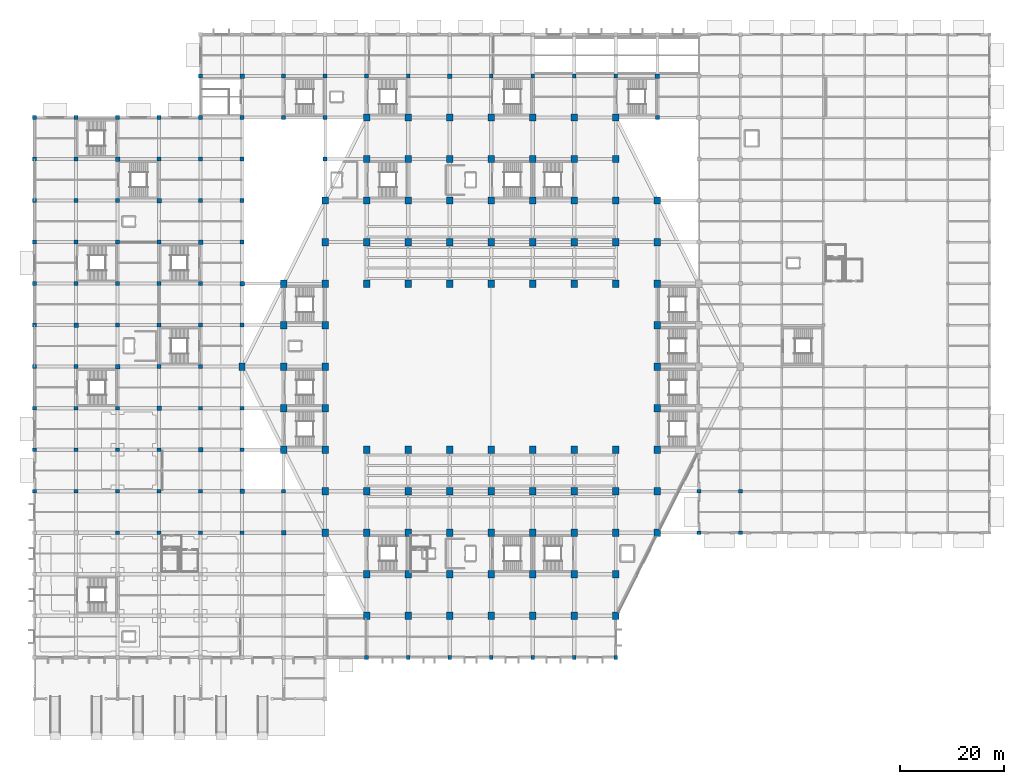
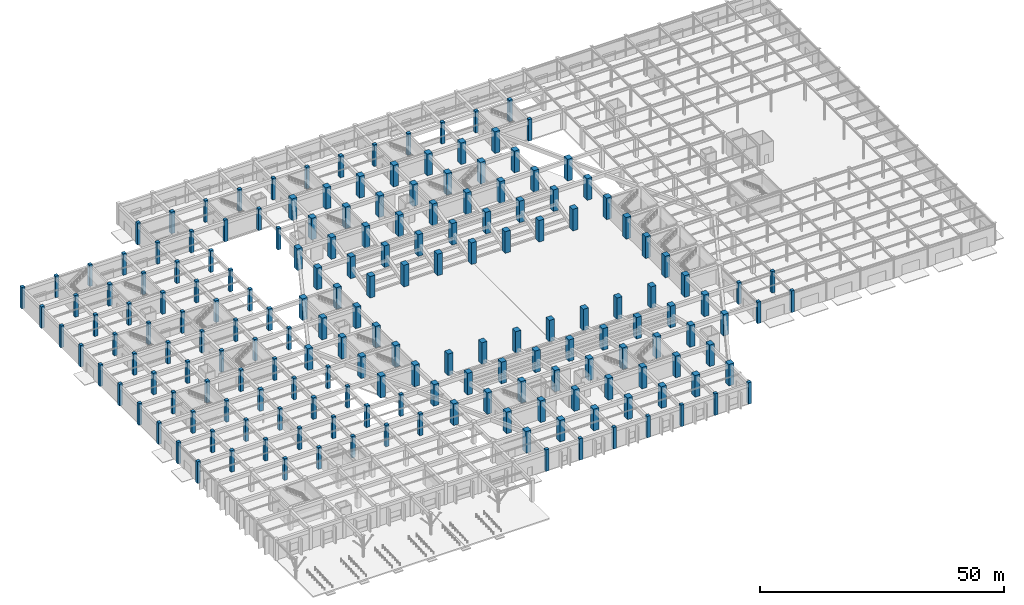
# One storey, part 2 of 39: 186 columns.
"""IFC4 building model written with IfcOpenShell, lengths in metres."""

from ifc_helpers import new_model, si_unit, direction, frame, origin, origin_2d, place, context, subcontext, project, spatial, rectangle, extrude, material, material_profile, profile_set, type_object, element, save


model = new_model("IFC4")

# Units and contexts
model_context = context("Model", 3, precision=1e-05, world=origin(), true_north=direction((0.0, 1.0)))
body_context = subcontext(model_context, "Body", "Model", "MODEL_VIEW")
ifc_project = project(units=[si_unit("LENGTHUNIT", "METRE"), si_unit("AREAUNIT", "SQUARE_METRE"), si_unit("VOLUMEUNIT", "CUBIC_METRE"), si_unit("PLANEANGLEUNIT", "RADIAN"), si_unit("MASSUNIT", "GRAM", prefix="KILO")], contexts=[model_context])

# Site, building, storey
site_placement = place(None, origin())
site = spatial("IfcSite", under=ifc_project, at=site_placement, CompositionType="ELEMENT")
building_placement = place(site_placement, origin())
building = spatial("IfcBuilding", under=site, at=building_placement, Name="Tazarka Park Arena", CompositionType="ELEMENT")
storey_placement = place(building_placement, origin())
storey = spatial("IfcBuildingStorey", under=building, at=storey_placement, Name="L00", CompositionType="ELEMENT", Elevation=0.0)

# Columns
ifc_material_1 = material(Name="Concrete C40/50", Category="concrete")
ifc_material_profile_1 = material_profile(ifc_material_1, rectangle(XDim=0.75, YDim=0.75, at=origin_2d()), Name="Concrete C40/50")
ifc_profile_set_1 = profile_set([ifc_material_profile_1], Name="Concrete C40/50")
column_type_1 = type_object("IfcColumnType", Name="COL-C-02", PredefinedType="COLUMN", material=ifc_profile_set_1)
for number, where, z_axis, x_axis, name in (
    (1, (8.0, 40.0, 0.0), (0.0, 0.0, 1.0), (1.0, 0.0, 0.0), "CLM-L00-01-05"),
    (2, (8.0, 48.0, 0.0), (0.0, 0.0, 1.0), (1.0, 0.0, 0.0), "CLM-L00-01-06"),
    (3, (8.0, 56.0, 0.0), (0.0, 0.0, 1.0), (1.0, 0.0, 0.0), "CLM-L00-01-07"),
    (4, (8.0, 64.0, 0.0), (0.0, 0.0, 1.0), (1.0, 0.0, 0.0), "CLM-L00-01-08"),
    (5, (8.0, 80.0, 0.0), (0.0, 0.0, 1.0), (1.0, 0.0, 0.0), "CLM-L00-01-10"),
    (6, (8.0, 88.0, 0.0), (0.0, 0.0, 1.0), (1.0, 0.0, 0.0), "CLM-L00-01-11"),
    (7, (8.0, 96.0, 0.0), (0.0, 0.0, 1.0), (1.0, 0.0, 0.0), "CLM-L00-01-12"),
    (8, (8.0, 104.0, 0.0), (0.0, 0.0, 1.0), (1.0, 0.0, 0.0), "CLM-L00-01-13"),
    (9, (16.0, 32.0, 0.0), (0.0, 0.0, 1.0), (1.0, 0.0, 0.0), "CLM-L00-02-04"),
    (10, (16.0, 40.0, 0.0), (0.0, 0.0, 1.0), (1.0, 0.0, 0.0), "CLM-L00-02-05"),
    (11, (16.0, 48.0, 0.0), (0.0, 0.0, 1.0), (1.0, 0.0, 0.0), "CLM-L00-02-06"),
    (12, (16.0, 56.0, 0.0), (0.0, 0.0, 1.0), (1.0, 0.0, 0.0), "CLM-L00-02-07"),
    (13, (16.0, 72.0, 0.0), (0.0, 0.0, 1.0), (1.0, 0.0, 0.0), "CLM-L00-02-09"),
    (14, (16.0, 80.0, 0.0), (0.0, 0.0, 1.0), (1.0, 0.0, 0.0), "CLM-L00-02-10"),
    (15, (16.0, 88.0, 0.0), (0.0, 0.0, 1.0), (1.0, 0.0, 0.0), "CLM-L00-02-11"),
    (16, (16.0, 96.0, 0.0), (0.0, 0.0, 1.0), (1.0, 0.0, 0.0), "CLM-L00-02-12"),
    (17, (24.0, 32.0, 0.0), (0.0, 0.0, 1.0), (1.0, 0.0, 0.0), "CLM-L00-03-04"),
    (18, (24.0, 40.0, 0.0), (0.0, 0.0, 1.0), (1.0, 0.0, 0.0), "CLM-L00-03-05"),
    (19, (24.0, 48.0, 0.0), (0.0, 0.0, 1.0), (1.0, 0.0, 0.0), "CLM-L00-03-06"),
    (20, (24.0, 64.0, 0.0), (0.0, 0.0, 1.0), (1.0, 0.0, 0.0), "CLM-L00-03-08"),
    (21, (24.0, 72.0, 0.0), (0.0, 0.0, 1.0), (1.0, 0.0, 0.0), "CLM-L00-03-09"),
    (22, (24.0, 80.0, 0.0), (0.0, 0.0, 1.0), (1.0, 0.0, 0.0), "CLM-L00-03-10"),
    (23, (24.0, 88.0, 0.0), (0.0, 0.0, 1.0), (1.0, 0.0, 0.0), "CLM-L00-03-11"),
    (24, (24.0, 104.0, 0.0), (0.0, 0.0, 1.0), (1.0, 0.0, 0.0), "CLM-L00-03-13"),
    (25, (32.0, 32.0, 0.0), (0.0, 0.0, 1.0), (1.0, 0.0, 0.0), "CLM-L00-04-04"),
    (26, (32.0, 40.0, 0.0), (0.0, 0.0, 1.0), (1.0, 0.0, 0.0), "CLM-L00-04-05"),
    (27, (32.0, 56.0, 0.0), (0.0, 0.0, 1.0), (1.0, 0.0, 0.0), "CLM-L00-04-07"),
    (28, (32.0, 64.0, 0.0), (0.0, 0.0, 1.0), (1.0, 0.0, 0.0), "CLM-L00-04-08"),
    (29, (32.0, 72.0, 0.0), (0.0, 0.0, 1.0), (1.0, 0.0, 0.0), "CLM-L00-04-09"),
    (30, (32.0, 80.0, 0.0), (0.0, 0.0, 1.0), (1.0, 0.0, 0.0), "CLM-L00-04-10"),
    (31, (32.0, 96.0, 0.0), (0.0, 0.0, 1.0), (1.0, 0.0, 0.0), "CLM-L00-04-12"),
    (32, (32.0, 104.0, 0.0), (0.0, 0.0, 1.0), (1.0, 0.0, 0.0), "CLM-L00-04-13"),
    (33, (32.0, 112.0, 0.0), (0.0, 0.0, 1.0), (1.0, 0.0, 0.0), "CLM-L00-04-14"),
    (34, (40.0, 32.0, 0.0), (0.0, 0.0, 1.0), (1.0, 0.0, 0.0), "CLM-L00-05-04"),
    (35, (40.0, 48.0, 0.0), (0.0, 0.0, 1.0), (1.0, 0.0, 0.0), "CLM-L00-05-06"),
    (36, (40.0, 56.0, 0.0), (0.0, 0.0, 1.0), (1.0, 0.0, 0.0), "CLM-L00-05-07"),
    (37, (40.0, 72.0, 0.0), (0.0, 0.0, 1.0), (1.0, 0.0, 0.0), "CLM-L00-05-09"),
    (38, (40.0, 112.0, 0.0), (0.0, 0.0, 1.0), (1.0, 0.0, 0.0), "CLM-L00-05-14"),
    (39, (48.0, 40.0, 0.0), (0.0, 0.0, 1.0), (1.0, 0.0, 0.0), "CLM-L00-06-05"),
    (40, (48.0, 120.0, 0.0), (0.0, 0.0, 1.0), (1.0, 0.0, 0.0), "CLM-L00-06-15"),
    (41, (56.0, 112.0, 0.0), (0.0, 0.0, 1.0), (1.0, 0.0, 0.0), "CLM-L00-07-14"),
    (42, (56.0, 120.0, 0.0), (0.0, 0.0, 1.0), (1.0, 0.0, 0.0), "CLM-L00-07-15"),
    (43, (64.0, 120.0, 0.0), (0.0, 0.0, 1.0), (1.0, 0.0, 0.0), "CLM-L00-08-15"),
    (44, (72.0, 120.0, 0.0), (0.0, 0.0, 1.0), (1.0, 0.0, 0.0), "CLM-L00-09-15"),
    (45, (88.0, 120.0, 0.0), (0.0, 0.0, 1.0), (1.0, 0.0, 0.0), "CLM-L00-11-15"),
    (46, (96.0, 120.0, 0.0), (0.0, 0.0, 1.0), (1.0, 0.0, 0.0), "CLM-L00-12-15"),
    (47, (104.0, 120.0, 0.0), (0.0, 0.0, 1.0), (1.0, 0.0, 0.0), "CLM-L00-13-15"),
    (48, (112.0, 120.0, 0.0), (0.0, 0.0, 1.0), (1.0, 0.0, 0.0), "CLM-L00-14-15"),
    (49, (128.0, 40.0, 0.0), (0.0, 0.0, 1.0), (1.0, 0.0, 0.0), "CLM-L00-16-05"),
    (50, (136.0, 40.0, 0.0), (0.0, 0.0, 1.0), (1.0, 0.0, 0.0), "CLM-L00-17-05"),
):
    element("IfcColumn", number, at=place(storey_placement, frame(where, z_axis=z_axis, x_axis=x_axis)), inside=storey, type_object=column_type_1, Name=name, PredefinedType="COLUMN", context=body_context, shape_type="SweptSolid", body=[
        extrude(rectangle(XDim=0.75, YDim=0.75, at=origin_2d()), origin(), (0.0, 0.0, 1.0), 5.39990234375),
    ])
ifc_material_2 = material(Name="Concrete C50/60", Category="concrete")
ifc_material_profile_2 = material_profile(ifc_material_2, rectangle(XDim=1.199951171875, YDim=1.39990234375, at=origin_2d()), Name="Concrete C50/60")
ifc_profile_set_2 = profile_set([ifc_material_profile_2], Name="Concrete C50/60")
column_type_2 = type_object("IfcColumnType", Name="COL-C-05", PredefinedType="COLUMN", material=ifc_profile_set_2)
for number, where, z_axis, x_axis, name in (
    (51, (40.0, 64.0, 0.0), (0.0, 0.0, 1.0), (1.0, 0.0, 0.0), "CLM-L00-05-08"),
    (52, (48.0, 48.0, 0.0), (0.0, 0.0, 1.0), (1.0, 0.0, 0.0), "CLM-L00-06-06"),
    (53, (48.0, 56.0, 0.0), (0.0, 0.0, 1.0), (1.0, 0.0, 0.0), "CLM-L00-06-07"),
    (54, (48.0, 64.0, 0.0), (0.0, 0.0, 1.0), (1.0, 0.0, 0.0), "CLM-L00-06-08"),
    (55, (48.0, 72.0, 0.0), (0.0, 0.0, 1.0), (1.0, 0.0, 0.0), "CLM-L00-06-09"),
    (56, (56.0, 32.0, 0.0), (0.0, 0.0, 1.0), (1.0, 0.0, 0.0), "CLM-L00-07-04"),
    (57, (56.0, 40.0, 0.0), (0.0, 0.0, 1.0), (1.0, 0.0, 0.0), "CLM-L00-07-05"),
    (58, (56.0, 48.0, 0.0), (0.0, 0.0, 1.0), (1.0, 0.0, 0.0), "CLM-L00-07-06"),
    (59, (56.0, 80.0, 0.0), (0.0, 0.0, 1.0), (1.0, 0.0, 0.0), "CLM-L00-07-10"),
    (60, (64.0, 16.0, 0.0), (0.0, 0.0, 1.0), (1.0, 0.0, 0.0), "CLM-L00-08-02"),
    (61, (64.0, 24.0, 0.0), (0.0, 0.0, 1.0), (1.0, 0.0, 0.0), "CLM-L00-08-03"),
    (62, (64.0, 32.0, 0.0), (0.0, 0.0, 1.0), (1.0, 0.0, 0.0), "CLM-L00-08-04"),
    (63, (64.0, 40.0, 0.0), (0.0, 0.0, 1.0), (1.0, 0.0, 0.0), "CLM-L00-08-05"),
    (64, (64.0, 88.0, 0.0), (0.0, 0.0, 1.0), (1.0, 0.0, 0.0), "CLM-L00-08-11"),
    (65, (64.0, 96.0, 0.0), (0.0, 0.0, 1.0), (1.0, 0.0, 0.0), "CLM-L00-08-12"),
    (66, (64.0, 104.0, 0.0), (0.0, 0.0, 1.0), (1.0, 0.0, 0.0), "CLM-L00-08-13"),
    (67, (64.0, 112.0, 0.0), (0.0, 0.0, 1.0), (1.0, 0.0, 0.0), "CLM-L00-08-14"),
    (68, (72.0, 16.0, 0.0), (0.0, 0.0, 1.0), (1.0, 0.0, 0.0), "CLM-L00-09-02"),
    (69, (72.0, 24.0, 0.0), (0.0, 0.0, 1.0), (1.0, 0.0, 0.0), "CLM-L00-09-03"),
    (70, (72.0, 32.0, 0.0), (0.0, 0.0, 1.0), (1.0, 0.0, 0.0), "CLM-L00-09-04"),
    (71, (72.0, 40.0, 0.0), (0.0, 0.0, 1.0), (1.0, 0.0, 0.0), "CLM-L00-09-05"),
    (72, (72.0, 88.0, 0.0), (0.0, 0.0, 1.0), (1.0, 0.0, 0.0), "CLM-L00-09-11"),
    (73, (72.0, 96.0, 0.0), (0.0, 0.0, 1.0), (1.0, 0.0, 0.0), "CLM-L00-09-12"),
    (74, (72.0, 104.0, 0.0), (0.0, 0.0, 1.0), (1.0, 0.0, 0.0), "CLM-L00-09-13"),
    (75, (72.0, 112.0, 0.0), (0.0, 0.0, 1.0), (1.0, 0.0, 0.0), "CLM-L00-09-14"),
    (76, (80.0, 16.0, 0.0), (0.0, 0.0, 1.0), (1.0, 0.0, 0.0), "CLM-L00-10-02"),
    (77, (80.0, 24.0, 0.0), (0.0, 0.0, 1.0), (1.0, 0.0, 0.0), "CLM-L00-10-03"),
    (78, (80.0, 32.0, 0.0), (0.0, 0.0, 1.0), (1.0, 0.0, 0.0), "CLM-L00-10-04"),
    (79, (80.0, 40.0, 0.0), (0.0, 0.0, 1.0), (1.0, 0.0, 0.0), "CLM-L00-10-05"),
    (80, (80.0, 88.0, 0.0), (0.0, 0.0, 1.0), (1.0, 0.0, 0.0), "CLM-L00-10-11"),
    (81, (80.0, 96.0, 0.0), (0.0, 0.0, 1.0), (1.0, 0.0, 0.0), "CLM-L00-10-12"),
    (82, (80.0, 104.0, 0.0), (0.0, 0.0, 1.0), (1.0, 0.0, 0.0), "CLM-L00-10-13"),
    (83, (80.0, 112.0, 0.0), (0.0, 0.0, 1.0), (1.0, 0.0, 0.0), "CLM-L00-10-14"),
    (84, (88.0, 16.0, 0.0), (0.0, 0.0, 1.0), (1.0, 0.0, 0.0), "CLM-L00-11-02"),
    (85, (88.0, 24.0, 0.0), (0.0, 0.0, 1.0), (1.0, 0.0, 0.0), "CLM-L00-11-03"),
    (86, (88.0, 32.0, 0.0), (0.0, 0.0, 1.0), (1.0, 0.0, 0.0), "CLM-L00-11-04"),
    (87, (88.0, 40.0, 0.0), (0.0, 0.0, 1.0), (1.0, 0.0, 0.0), "CLM-L00-11-05"),
    (88, (88.0, 88.0, 0.0), (0.0, 0.0, 1.0), (1.0, 0.0, 0.0), "CLM-L00-11-11"),
    (89, (88.0, 96.0, 0.0), (0.0, 0.0, 1.0), (1.0, 0.0, 0.0), "CLM-L00-11-12"),
    (90, (88.0, 104.0, 0.0), (0.0, 0.0, 1.0), (1.0, 0.0, 0.0), "CLM-L00-11-13"),
    (91, (88.0, 112.0, 0.0), (0.0, 0.0, 1.0), (1.0, 0.0, 0.0), "CLM-L00-11-14"),
    (92, (96.0, 16.0, 0.0), (0.0, 0.0, 1.0), (1.0, 0.0, 0.0), "CLM-L00-12-02"),
    (93, (96.0, 24.0, 0.0), (0.0, 0.0, 1.0), (1.0, 0.0, 0.0), "CLM-L00-12-03"),
    (94, (96.0, 32.0, 0.0), (0.0, 0.0, 1.0), (1.0, 0.0, 0.0), "CLM-L00-12-04"),
    (95, (96.0, 40.0, 0.0), (0.0, 0.0, 1.0), (1.0, 0.0, 0.0), "CLM-L00-12-05"),
    (96, (96.0, 88.0, 0.0), (0.0, 0.0, 1.0), (1.0, 0.0, 0.0), "CLM-L00-12-11"),
    (97, (96.0, 96.0, 0.0), (0.0, 0.0, 1.0), (1.0, 0.0, 0.0), "CLM-L00-12-12"),
    (98, (96.0, 104.0, 0.0), (0.0, 0.0, 1.0), (1.0, 0.0, 0.0), "CLM-L00-12-13"),
    (99, (96.0, 112.0, 0.0), (0.0, 0.0, 1.0), (1.0, 0.0, 0.0), "CLM-L00-12-14"),
    (100, (104.0, 16.0, 0.0), (0.0, 0.0, 1.0), (1.0, 0.0, 0.0), "CLM-L00-13-02"),
    (101, (104.0, 24.0, 0.0), (0.0, 0.0, 1.0), (1.0, 0.0, 0.0), "CLM-L00-13-03"),
    (102, (104.0, 32.0, 0.0), (0.0, 0.0, 1.0), (1.0, 0.0, 0.0), "CLM-L00-13-04"),
    (103, (104.0, 40.0, 0.0), (0.0, 0.0, 1.0), (1.0, 0.0, 0.0), "CLM-L00-13-05"),
    (104, (104.0, 88.0, 0.0), (0.0, 0.0, 1.0), (1.0, 0.0, 0.0), "CLM-L00-13-11"),
    (105, (104.0, 96.0, 0.0), (0.0, 0.0, 1.0), (1.0, 0.0, 0.0), "CLM-L00-13-12"),
    (106, (104.0, 104.0, 0.0), (0.0, 0.0, 1.0), (1.0, 0.0, 0.0), "CLM-L00-13-13"),
    (107, (104.0, 112.0, 0.0), (0.0, 0.0, 1.0), (1.0, 0.0, 0.0), "CLM-L00-13-14"),
    (108, (112.0, 32.0, 0.0), (0.0, 0.0, 1.0), (1.0, 0.0, 0.0), "CLM-L00-14-04"),
    (109, (112.0, 40.0, 0.0), (0.0, 0.0, 1.0), (1.0, 0.0, 0.0), "CLM-L00-14-05"),
    (110, (112.0, 88.0, 0.0), (0.0, 0.0, 1.0), (1.0, 0.0, 0.0), "CLM-L00-14-11"),
    (111, (112.0, 96.0, 0.0), (0.0, 0.0, 1.0), (1.0, 0.0, 0.0), "CLM-L00-14-12"),
    (112, (112.0, 112.0, 0.0), (0.0, 0.0, 1.0), (1.0, 0.0, 0.0), "CLM-L00-14-14"),
    (113, (120.0, 40.0, 0.0), (0.0, 0.0, 1.0), (1.0, 0.0, 0.0), "CLM-L00-15-05"),
    (114, (120.0, 48.0, 0.0), (0.0, 0.0, 1.0), (1.0, 0.0, 0.0), "CLM-L00-15-06"),
    (115, (120.0, 80.0, 0.0), (0.0, 0.0, 1.0), (1.0, 0.0, 0.0), "CLM-L00-15-10"),
    (116, (120.0, 88.0, 0.0), (0.0, 0.0, 1.0), (1.0, 0.0, 0.0), "CLM-L00-15-11"),
):
    element("IfcColumn", number, at=place(storey_placement, frame(where, z_axis=z_axis, x_axis=x_axis)), inside=storey, type_object=column_type_2, Name=name, PredefinedType="COLUMN", context=body_context, shape_type="SweptSolid", body=[
        extrude(rectangle(XDim=1.199951171875, YDim=1.39990234375, at=origin_2d()), origin(), (0.0, 0.0, 1.0), 5.39990234375),
    ])
ifc_material_3 = material(Name="Concrete C40/50", Category="concrete")
ifc_material_profile_3 = material_profile(ifc_material_3, rectangle(XDim=0.75, YDim=0.75, at=origin_2d()), Name="Concrete C40/50")
ifc_profile_set_3 = profile_set([ifc_material_profile_3], Name="Concrete C40/50")
column_type_3 = type_object("IfcColumnType", Name="COL-C-06", PredefinedType="COLUMN", material=ifc_profile_set_3)
for number, where, z_axis, x_axis, name in (
    (117, (0.0, 40.0, 0.0), (0.0, 0.0, 1.0), (1.0, 0.0, 0.0), "CLM-L00-00-05"),
    (118, (0.0, 48.0, 0.0), (0.0, 0.0, 1.0), (1.0, 0.0, 0.0), "CLM-L00-00-06"),
    (119, (0.0, 56.0, 0.0), (0.0, 0.0, 1.0), (1.0, 0.0, 0.0), "CLM-L00-00-07"),
    (120, (0.0, 64.0, 0.0), (0.0, 0.0, 1.0), (1.0, 0.0, 0.0), "CLM-L00-00-08"),
    (121, (0.0, 72.0, 0.0), (0.0, 0.0, 1.0), (1.0, 0.0, 0.0), "CLM-L00-00-09"),
    (122, (0.0, 80.0, 0.0), (0.0, 0.0, 1.0), (1.0, 0.0, 0.0), "CLM-L00-00-10"),
    (123, (0.0, 88.0, 0.0), (0.0, 0.0, 1.0), (1.0, 0.0, 0.0), "CLM-L00-00-11"),
    (124, (0.0, 96.0, 0.0), (0.0, 0.0, 1.0), (1.0, 0.0, 0.0), "CLM-L00-00-12"),
    (125, (0.0, 104.0, 0.0), (0.0, 0.0, 1.0), (1.0, 0.0, 0.0), "CLM-L00-00-13"),
    (126, (0.0, 112.0, 0.0), (0.0, 0.0, 1.0), (1.0, 0.0, 0.0), "CLM-L00-00-14"),
    (127, (8.0, 112.0, 0.0), (0.0, 0.0, 1.0), (1.0, 0.0, 0.0), "CLM-L00-01-14"),
    (128, (16.0, 112.0, 0.0), (0.0, 0.0, 1.0), (1.0, 0.0, 0.0), "CLM-L00-02-14"),
    (129, (24.0, 112.0, 0.0), (0.0, 0.0, 1.0), (1.0, 0.0, 0.0), "CLM-L00-03-14"),
    (130, (32.0, 120.0, 0.0), (0.0, 0.0, 1.0), (1.0, 0.0, 0.0), "CLM-L00-04-15"),
    (131, (40.0, 88.0, 0.0), (0.0, 0.0, 1.0), (1.0, 0.0, 0.0), "CLM-L00-05-11"),
    (132, (40.0, 96.0, 0.0), (0.0, 0.0, 1.0), (1.0, 0.0, 0.0), "CLM-L00-05-12"),
    (133, (40.0, 104.0, 0.0), (0.0, 0.0, 1.0), (1.0, 0.0, 0.0), "CLM-L00-05-13"),
    (134, (48.0, 112.0, 0.0), (0.0, 0.0, 1.0), (1.0, 0.0, 0.0), "CLM-L00-06-14"),
    (135, (56.0, 104.0, 0.0), (0.0, 0.0, 1.0), (1.0, 0.0, 0.0), "CLM-L00-07-13"),
    (136, (64.0, 8.0, 0.0), (0.0, 0.0, 1.0), (1.0, 0.0, 0.0), "CLM-L00-08-01"),
    (137, (72.0, 8.0, 0.0), (0.0, 0.0, 1.0), (1.0, 0.0, 0.0), "CLM-L00-09-01"),
    (138, (80.0, 8.0, 0.0), (0.0, 0.0, 1.0), (1.0, 0.0, 0.0), "CLM-L00-10-01"),
    (139, (88.0, 8.0, 0.0), (0.0, 0.0, 1.0), (1.0, 0.0, 0.0), "CLM-L00-11-01"),
    (140, (96.0, 8.0, 0.0), (0.0, 0.0, 1.0), (1.0, 0.0, 0.0), "CLM-L00-12-01"),
    (141, (104.0, 8.0, 0.0), (0.0, 0.0, 1.0), (1.0, 0.0, 0.0), "CLM-L00-13-01"),
    (142, (112.0, 8.0, 0.0), (0.0, 0.0, 1.0), (1.0, 0.0, 0.0), "CLM-L00-14-01"),
    (143, (120.0, 112.0, 0.0), (0.0, 0.0, 1.0), (1.0, 0.0, 0.0), "CLM-L00-15-14"),
    (144, (128.0, 32.0, 0.0), (0.0, 0.0, 1.0), (1.0, 0.0, 0.0), "CLM-L00-16-04"),
    (145, (136.0, 32.0, 0.0), (0.0, 0.0, 1.0), (1.0, 0.0, 0.0), "CLM-L00-17-04"),
):
    element("IfcColumn", number, at=place(storey_placement, frame(where, z_axis=z_axis, x_axis=x_axis)), inside=storey, type_object=column_type_3, Name=name, PredefinedType="COLUMN", context=body_context, shape_type="SweptSolid", body=[
        extrude(rectangle(XDim=0.75, YDim=0.75, at=origin_2d()), origin(), (0.0, 0.0, 1.0), 5.39990234375),
    ])
ifc_material_4 = material(Name="Concrete C50/60", Category="concrete")
ifc_material_profile_4 = material_profile(ifc_material_4, rectangle(XDim=1.199951171875, YDim=1.39990234375, at=origin_2d()), Name="Concrete C50/60")
ifc_profile_set_4 = profile_set([ifc_material_profile_4], Name="Concrete C50/60")
column_type_4 = type_object("IfcColumnType", Name="COL-C-08", PredefinedType="COLUMN", material=ifc_profile_set_4)
for number, where, z_axis, x_axis, name in (
    (146, (48.0, 80.0, 0.0), (0.0, 0.0, 1.0), (1.0, 0.0, 0.0), "CLM-L00-06-10"),
    (147, (56.0, 56.0, 0.0), (0.0, 0.0, 1.0), (1.0, 0.0, 0.0), "CLM-L00-07-07"),
    (148, (56.0, 64.0, 0.0), (0.0, 0.0, 1.0), (1.0, 0.0, 0.0), "CLM-L00-07-08"),
    (149, (56.0, 72.0, 0.0), (0.0, 0.0, 1.0), (1.0, 0.0, 0.0), "CLM-L00-07-09"),
    (150, (56.0, 88.0, 0.0), (0.0, 0.0, 1.0), (1.0, 0.0, 0.0), "CLM-L00-07-11"),
    (151, (56.0, 96.0, 0.0), (0.0, 0.0, 1.0), (1.0, 0.0, 0.0), "CLM-L00-07-12"),
    (152, (64.0, 48.0, 0.0), (0.0, 0.0, 1.0), (1.0, 0.0, 0.0), "CLM-L00-08-06"),
    (153, (64.0, 80.0, 0.0), (0.0, 0.0, 1.0), (1.0, 0.0, 0.0), "CLM-L00-08-10"),
    (154, (72.0, 48.0, 0.0), (0.0, 0.0, 1.0), (1.0, 0.0, 0.0), "CLM-L00-09-06"),
    (155, (72.0, 80.0, 0.0), (0.0, 0.0, 1.0), (1.0, 0.0, 0.0), "CLM-L00-09-10"),
    (156, (80.0, 48.0, 0.0), (0.0, 0.0, 1.0), (1.0, 0.0, 0.0), "CLM-L00-10-06"),
    (157, (80.0, 80.0, 0.0), (0.0, 0.0, 1.0), (1.0, 0.0, 0.0), "CLM-L00-10-10"),
    (158, (88.0, 48.0, 0.0), (0.0, 0.0, 1.0), (1.0, 0.0, 0.0), "CLM-L00-11-06"),
    (159, (88.0, 80.0, 0.0), (0.0, 0.0, 1.0), (1.0, 0.0, 0.0), "CLM-L00-11-10"),
    (160, (96.0, 48.0, 0.0), (0.0, 0.0, 1.0), (1.0, 0.0, 0.0), "CLM-L00-12-06"),
    (161, (96.0, 80.0, 0.0), (0.0, 0.0, 1.0), (1.0, 0.0, 0.0), "CLM-L00-12-10"),
    (162, (104.0, 48.0, 0.0), (0.0, 0.0, 1.0), (1.0, 0.0, 0.0), "CLM-L00-13-06"),
    (163, (104.0, 80.0, 0.0), (0.0, 0.0, 1.0), (1.0, 0.0, 0.0), "CLM-L00-13-10"),
    (164, (112.0, 16.0, 0.0), (0.0, 0.0, 1.0), (1.0, 0.0, 0.0), "CLM-L00-14-02"),
    (165, (112.0, 24.0, 0.0), (0.0, 0.0, 1.0), (1.0, 0.0, 0.0), "CLM-L00-14-03"),
    (166, (112.0, 48.0, 0.0), (0.0, 0.0, 1.0), (1.0, 0.0, 0.0), "CLM-L00-14-06"),
    (167, (112.0, 80.0, 0.0), (0.0, 0.0, 1.0), (1.0, 0.0, 0.0), "CLM-L00-14-10"),
    (168, (112.0, 104.0, 0.0), (0.0, 0.0, 1.0), (1.0, 0.0, 0.0), "CLM-L00-14-13"),
    (169, (120.0, 32.0, 0.0), (0.0, 0.0, 1.0), (1.0, 0.0, 0.0), "CLM-L00-15-04"),
    (170, (120.0, 56.0, 0.0), (0.0, 0.0, 1.0), (1.0, 0.0, 0.0), "CLM-L00-15-07"),
    (171, (120.0, 64.0, 0.0), (0.0, 0.0, 1.0), (1.0, 0.0, 0.0), "CLM-L00-15-08"),
    (172, (120.0, 72.0, 0.0), (0.0, 0.0, 1.0), (1.0, 0.0, 0.0), "CLM-L00-15-09"),
    (173, (120.0, 96.0, 0.0), (0.0, 0.0, 1.0), (1.0, 0.0, 0.0), "CLM-L00-15-12"),
):
    element("IfcColumn", number, at=place(storey_placement, frame(where, z_axis=z_axis, x_axis=x_axis)), inside=storey, type_object=column_type_4, Name=name, PredefinedType="COLUMN", context=body_context, shape_type="SweptSolid", body=[
        extrude(rectangle(XDim=1.199951171875, YDim=1.39990234375, at=origin_2d()), origin(), (0.0, 0.0, 1.0), 5.39990234375),
    ])
ifc_material_5 = material(Name="Concrete C40/50", Category="concrete")
ifc_material_profile_5 = material_profile(ifc_material_5, rectangle(XDim=0.85009765625, YDim=0.85009765625, at=origin_2d()), Name="Concrete C40/50")
ifc_profile_set_5 = profile_set([ifc_material_profile_5], Name="Concrete C40/50")
column_type_5 = type_object("IfcColumnType", Name="COL-C-10", PredefinedType="COLUMN", material=ifc_profile_set_5)
for number, where, z_axis, x_axis, name in (
    (174, (8.0, 72.0, 0.0), (0.0, 0.0, 1.0), (1.0, 0.0, 0.0), "CLM-L00-01-09"),
    (175, (16.0, 64.0, 0.0), (0.0, 0.0, 1.0), (1.0, 0.0, 0.0), "CLM-L00-02-08"),
    (176, (16.0, 104.0, 0.0), (0.0, 0.0, 1.0), (1.0, 0.0, 0.0), "CLM-L00-02-13"),
    (177, (24.0, 56.0, 0.0), (0.0, 0.0, 1.0), (1.0, 0.0, 0.0), "CLM-L00-03-07"),
    (178, (24.0, 96.0, 0.0), (0.0, 0.0, 1.0), (1.0, 0.0, 0.0), "CLM-L00-03-12"),
    (179, (32.0, 48.0, 0.0), (0.0, 0.0, 1.0), (1.0, 0.0, 0.0), "CLM-L00-04-06"),
    (180, (32.0, 88.0, 0.0), (0.0, 0.0, 1.0), (1.0, 0.0, 0.0), "CLM-L00-04-11"),
    (181, (40.0, 40.0, 0.0), (0.0, 0.0, 1.0), (1.0, 0.0, 0.0), "CLM-L00-05-05"),
    (182, (40.0, 80.0, 0.0), (0.0, 0.0, 1.0), (1.0, 0.0, 0.0), "CLM-L00-05-10"),
    (183, (40.0, 120.0, 0.0), (0.0, 0.0, 1.0), (1.0, 0.0, 0.0), "CLM-L00-05-15"),
    (184, (48.0, 32.0, 0.0), (0.0, 0.0, 1.0), (1.0, 0.0, 0.0), "CLM-L00-06-04"),
    (185, (80.0, 120.0, 0.0), (0.0, 0.0, 1.0), (1.0, 0.0, 0.0), "CLM-L00-10-15"),
    (186, (120.0, 120.0, 0.0), (0.0, 0.0, 1.0), (1.0, 0.0, 0.0), "CLM-L00-15-15"),
):
    element("IfcColumn", number, at=place(storey_placement, frame(where, z_axis=z_axis, x_axis=x_axis)), inside=storey, type_object=column_type_5, Name=name, PredefinedType="COLUMN", context=body_context, shape_type="SweptSolid", body=[
        extrude(rectangle(XDim=0.85009765625, YDim=0.85009765625, at=origin_2d()), origin(), (0.0, 0.0, 1.0), 5.39990234375),
    ])

save(model, "model.ifc")
